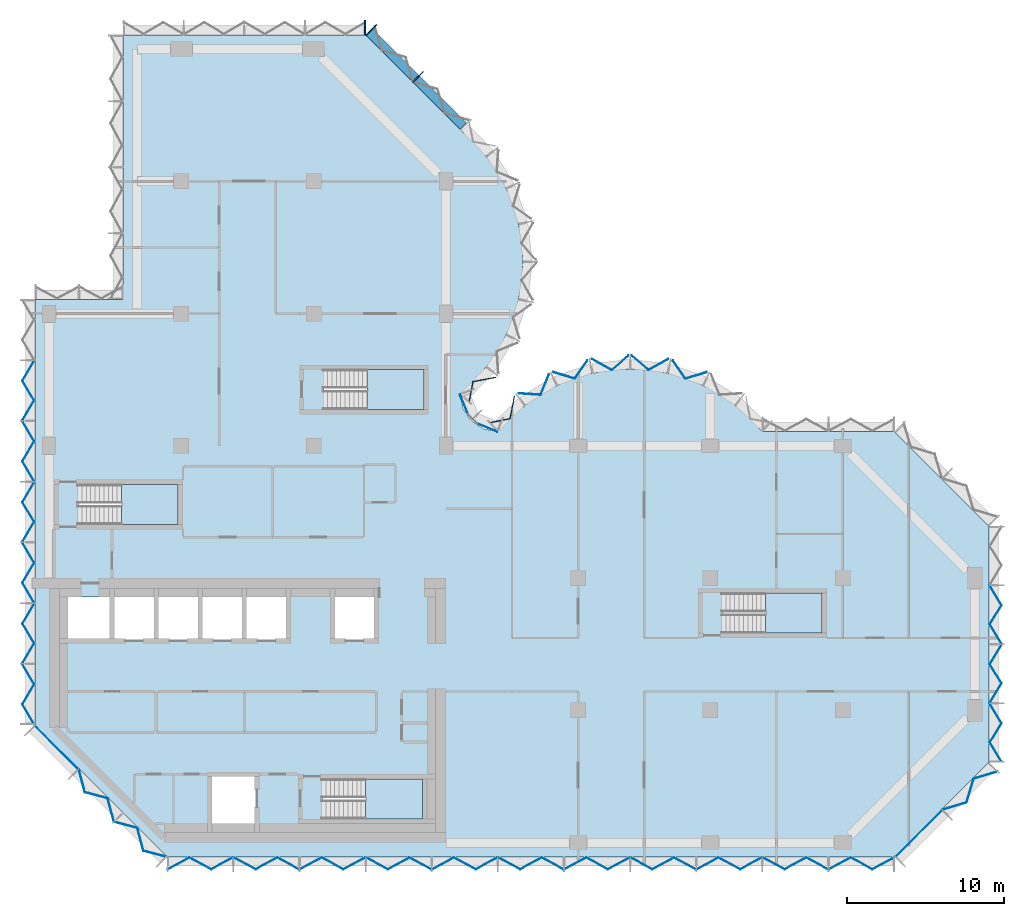
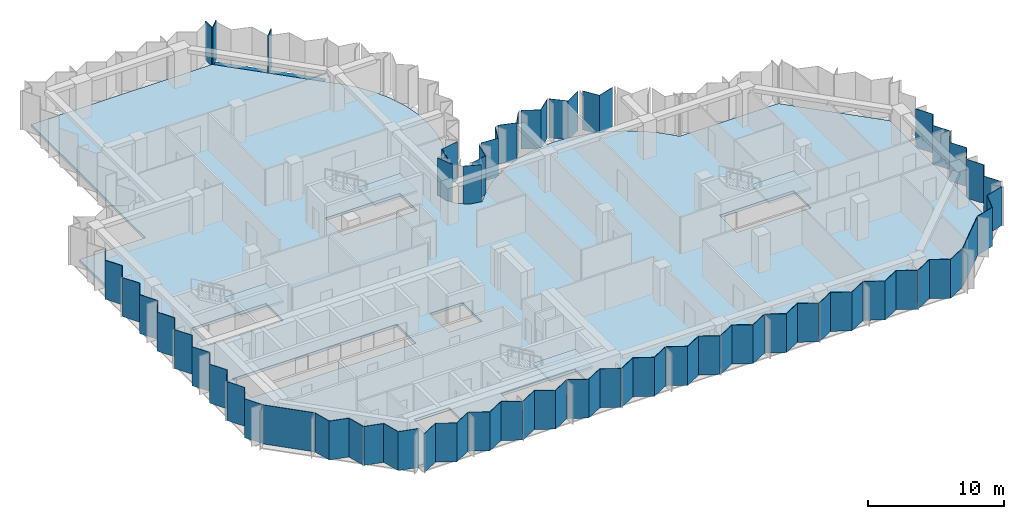
# One storey, part 3 of 10: 34 plates, 5 slabs, 4 members, 14 elements without a shape of their own.
"""IFC4 building model written with IfcOpenShell, lengths in metres."""

from ifc_helpers import new_model, si_unit, direction, frame, origin, origin_2d, place, context, subcontext, project, spatial, polyline, rectangle, outline, extrude, material, layer, layer_set, material_profile, profile_set, type_object, element, aggregate, save


model = new_model("IFC4")

# Units and contexts
model_context = context("Model", 3, precision=1e-05, world=origin(), true_north=direction((0.0, 1.0)))
body_context = subcontext(model_context, "Body", "Model", "MODEL_VIEW")
ifc_project = project(units=[si_unit("LENGTHUNIT", "METRE"), si_unit("AREAUNIT", "SQUARE_METRE"), si_unit("VOLUMEUNIT", "CUBIC_METRE"), si_unit("PLANEANGLEUNIT", "RADIAN"), si_unit("MASSUNIT", "GRAM", prefix="KILO")], contexts=[model_context])

# Site, building, storey
site_placement = place(None, origin())
site = spatial("IfcSite", under=ifc_project, at=site_placement, CompositionType="ELEMENT")
building_placement = place(site_placement, origin())
building = spatial("IfcBuilding", under=site, at=building_placement, Name="Brevane Broadcast Tower", CompositionType="ELEMENT")
storey_placement = place(building_placement, frame((0.0, 0.0, 177.60009765625)))
storey = spatial("IfcBuildingStorey", under=building, at=storey_placement, Name="L44", CompositionType="ELEMENT", Elevation=177.60009765625)

# Curtain wall, members
ifc_material_1 = material(Name="Aluminium 6063-T6 bronze anodised", Category="aluminium")
curtain_wall_type = type_object("IfcCurtainWallType", Name="CW-1 curtain wall", PredefinedType="NOTDEFINED", material=ifc_material_1)
curtain_wall_1_placement = place(storey_placement, origin())
curtain_wall_1 = element("IfcCurtainWall", 1, at=curtain_wall_1_placement, inside=storey, type_object=curtain_wall_type, Name="CW-1 typical tilted unit L44 north arm north-east chamfer", PredefinedType="NOTDEFINED")
ifc_material_profile_1 = material_profile(ifc_material_1, rectangle(XDim=0.949951171875, YDim=0.070068359375, at=origin_2d()), Name="RECT 70x950")
ifc_profile_set_1 = profile_set([ifc_material_profile_1], Name="Aluminium 6063-T6 bronze anodised")
member_type_1 = type_object("IfcMemberType", Name="CW-1 mullion 70x950", PredefinedType="MULLION", material=ifc_profile_set_1)
member_1_placement = place(storey_placement, frame((23.435791015625, 48.635986328125, -0.150146484375), z_axis=(0.0, 0.0, 1.0), x_axis=(-0.707106781187, -0.707106781187, 0.0)))
member_1 = element("IfcMember", 2, at=member_1_placement, type_object=member_type_1, Name="CW-1 mullion", PredefinedType="MULLION", context=body_context, shape_type="SweptSolid", body=[
    extrude(rectangle(XDim=0.949951171875, YDim=0.070068359375, at=origin_2d()), origin(), (0.0, 0.0, 1.0), 3.5),
])
member_2_placement = place(storey_placement, frame((20.460693359375, 51.611083984375, -0.150146484375), z_axis=(0.0, 0.0, 1.0), x_axis=(-0.707106781187, -0.707106781187, 0.0)))
member_2 = element("IfcMember", 3, at=member_2_placement, type_object=member_type_1, Name="CW-1 mullion", PredefinedType="MULLION", context=body_context, shape_type="SweptSolid", body=[
    extrude(rectangle(XDim=0.949951171875, YDim=0.070068359375, at=origin_2d()), origin(), (0.0, 0.0, 1.0), 3.5),
])

# Curtain wall, member
curtain_wall_2_placement = place(storey_placement, origin())
curtain_wall_2 = element("IfcCurtainWall", 4, at=curtain_wall_2_placement, inside=storey, type_object=curtain_wall_type, Name="CW-1 typical tilted unit L44 north end", PredefinedType="NOTDEFINED")
member_3_placement = place(storey_placement, frame((20.06494140625, 51.77490234375, -0.150146484375), z_axis=(0.0, 0.0, 1.0), x_axis=(0.0, -1.0, 0.0)))
member_3 = element("IfcMember", 5, at=member_3_placement, type_object=member_type_1, Name="CW-1 mullion", PredefinedType="MULLION", context=body_context, shape_type="SweptSolid", body=[
    extrude(rectangle(XDim=0.949951171875, YDim=0.070068359375, at=origin_2d()), origin(), (0.0, 0.0, 1.0), 3.5),
])
aggregate(curtain_wall_2, [member_3])

# Member
ifc_material_profile_2 = material_profile(ifc_material_1, rectangle(XDim=0.60009765625, YDim=0.10009765625, at=origin_2d()), Name="RECT 100x600")
ifc_profile_set_2 = profile_set([ifc_material_profile_2], Name="Aluminium 6063-T6 bronze anodised")
member_type_2 = type_object("IfcMemberType", Name="CW-1 transom 100x600", PredefinedType="USERDEFINED", material=ifc_profile_set_2)
member_4_placement = place(storey_placement, frame((26.31201171875, 45.51220703125, -0.2001953125), z_axis=(-0.707106781187, 0.707106781187, 0.0), x_axis=(-0.707106781187, -0.707106781187, 0.0)))
member_4 = element("IfcMember", 6, at=member_4_placement, type_object=member_type_2, Name="CW-1 transom", ObjectType="TRANSOM", PredefinedType="USERDEFINED", context=body_context, shape_type="SweptSolid", body=[
    extrude(rectangle(XDim=0.60009765625, YDim=0.10009765625, at=origin_2d()), origin(), (0.0, 0.0, 1.0), 8.4853515625),
])

aggregate(curtain_wall_1, [member_1, member_2, member_4])

# Curtain wall, plates
curtain_wall_3_placement = place(storey_placement, origin())
curtain_wall_3 = element("IfcCurtainWall", 7, at=curtain_wall_3_placement, inside=storey, type_object=curtain_wall_type, Name="CW-1 typical tilted unit L44 south face", PredefinedType="NOTDEFINED")
ifc_material_2 = material(Name="Laminated glass bronze-tinted", Category="glass")
ifc_layer_1 = layer(ifc_material_2, 0.0400390625)
ifc_layer_set_1 = layer_set([ifc_layer_1], Name="CW tall glass panel 40")
plate_type = type_object("IfcPlateType", Name="CW tall glass panel 40", PredefinedType="CURTAIN_PANEL", material=ifc_layer_set_1)
plate_1_placement = place(storey_placement, frame((0.0, 0.0, -0.150146484375)))
plate_1 = element("IfcPlate", 8, at=plate_1_placement, type_object=plate_type, Name="CW-1 glass panel", PredefinedType="CURTAIN_PANEL", context=body_context, shape_type="SweptSolid", body=[
    extrude(outline(polyline([(7.534912109375, -1.671630859375), (7.534912109375, -1.717041015625), (8.91162109375, -0.97265625), (10.288330078125, -1.717041015625), (11.6650390625, -0.97265625), (11.6650390625, -0.92724609375), (10.288330078125, -1.671630859375), (8.91162109375, -0.92724609375), (7.534912109375, -1.671630859375)])), origin(), (0.0, 0.0, 1.0), 3.5),
])
plate_2_placement = place(storey_placement, frame((0.0, 0.0, -0.150146484375)))
plate_2 = element("IfcPlate", 9, at=plate_2_placement, type_object=plate_type, Name="CW-1 glass panel", PredefinedType="CURTAIN_PANEL", context=body_context, shape_type="SweptSolid", body=[
    extrude(outline(polyline([(11.735107421875, -0.92724609375), (11.735107421875, -0.97265625), (13.11181640625, -1.717041015625), (14.48828125, -0.97265625), (15.864990234375, -1.717041015625), (15.864990234375, -1.671630859375), (14.48828125, -0.92724609375), (13.11181640625, -1.671630859375), (11.735107421875, -0.92724609375)])), origin(), (0.0, 0.0, 1.0), 3.5),
])
plate_3_placement = place(storey_placement, frame((0.0, 0.0, -0.150146484375)))
plate_3 = element("IfcPlate", 10, at=plate_3_placement, type_object=plate_type, Name="CW-1 glass panel", PredefinedType="CURTAIN_PANEL", context=body_context, shape_type="SweptSolid", body=[
    extrude(outline(polyline([(15.93505859375, -1.671630859375), (15.93505859375, -1.717041015625), (17.311767578125, -0.97265625), (18.688232421875, -1.717041015625), (20.06494140625, -0.97265625), (20.06494140625, -0.92724609375), (18.688232421875, -1.671630859375), (17.311767578125, -0.92724609375), (15.93505859375, -1.671630859375)])), origin(), (0.0, 0.0, 1.0), 3.5),
])
plate_4_placement = place(storey_placement, frame((0.0, 0.0, -0.150146484375)))
plate_4 = element("IfcPlate", 11, at=plate_4_placement, type_object=plate_type, Name="CW-1 glass panel", PredefinedType="CURTAIN_PANEL", context=body_context, shape_type="SweptSolid", body=[
    extrude(outline(polyline([(20.135009765625, -0.92724609375), (20.135009765625, -0.97265625), (21.51171875, -1.717041015625), (22.88818359375, -0.97265625), (24.264892578125, -1.717041015625), (24.264892578125, -1.671630859375), (22.88818359375, -0.92724609375), (21.51171875, -1.671630859375), (20.135009765625, -0.92724609375)])), origin(), (0.0, 0.0, 1.0), 3.5),
])
plate_5_placement = place(storey_placement, frame((0.0, 0.0, -0.150146484375)))
plate_5 = element("IfcPlate", 12, at=plate_5_placement, type_object=plate_type, Name="CW-1 glass panel", PredefinedType="CURTAIN_PANEL", context=body_context, shape_type="SweptSolid", body=[
    extrude(outline(polyline([(24.3349609375, -1.671630859375), (24.3349609375, -1.717041015625), (25.711669921875, -0.97265625), (27.08837890625, -1.717041015625), (28.465087890625, -0.97265625), (28.465087890625, -0.92724609375), (27.08837890625, -1.671630859375), (25.711669921875, -0.92724609375), (24.3349609375, -1.671630859375)])), origin(), (0.0, 0.0, 1.0), 3.5),
])
plate_6_placement = place(storey_placement, frame((0.0, 0.0, -0.150146484375)))
plate_6 = element("IfcPlate", 13, at=plate_6_placement, type_object=plate_type, Name="CW-1 glass panel", PredefinedType="CURTAIN_PANEL", context=body_context, shape_type="SweptSolid", body=[
    extrude(outline(polyline([(28.534912109375, -0.92724609375), (28.534912109375, -0.97265625), (29.91162109375, -1.717041015625), (31.288330078125, -0.97265625), (32.6650390625, -1.717041015625), (32.6650390625, -1.671630859375), (31.288330078125, -0.92724609375), (29.91162109375, -1.671630859375), (28.534912109375, -0.92724609375)])), origin(), (0.0, 0.0, 1.0), 3.5),
])
plate_7_placement = place(storey_placement, frame((0.0, 0.0, -0.150146484375)))
plate_7 = element("IfcPlate", 14, at=plate_7_placement, type_object=plate_type, Name="CW-1 glass panel", PredefinedType="CURTAIN_PANEL", context=body_context, shape_type="SweptSolid", body=[
    extrude(outline(polyline([(32.735107421875, -1.671630859375), (32.735107421875, -1.717041015625), (34.11181640625, -0.97265625), (35.48828125, -1.717041015625), (36.864990234375, -0.97265625), (36.864990234375, -0.92724609375), (35.48828125, -1.671630859375), (34.11181640625, -0.92724609375), (32.735107421875, -1.671630859375)])), origin(), (0.0, 0.0, 1.0), 3.5),
])
plate_8_placement = place(storey_placement, frame((0.0, 0.0, -0.150146484375)))
plate_8 = element("IfcPlate", 15, at=plate_8_placement, type_object=plate_type, Name="CW-1 glass panel", PredefinedType="CURTAIN_PANEL", context=body_context, shape_type="SweptSolid", body=[
    extrude(outline(polyline([(36.93505859375, -0.92724609375), (36.93505859375, -0.97265625), (38.311767578125, -1.717041015625), (39.688232421875, -0.97265625), (41.06494140625, -1.717041015625), (41.06494140625, -1.671630859375), (39.688232421875, -0.92724609375), (38.311767578125, -1.671630859375), (36.93505859375, -0.92724609375)])), origin(), (0.0, 0.0, 1.0), 3.5),
])
plate_9_placement = place(storey_placement, frame((0.0, 0.0, -0.150146484375)))
plate_9 = element("IfcPlate", 16, at=plate_9_placement, type_object=plate_type, Name="CW-1 glass panel", PredefinedType="CURTAIN_PANEL", context=body_context, shape_type="SweptSolid", body=[
    extrude(outline(polyline([(41.135009765625, -1.671630859375), (41.135009765625, -1.717041015625), (42.51171875, -0.97265625), (43.88818359375, -1.717041015625), (45.264892578125, -0.97265625), (45.264892578125, -0.92724609375), (43.88818359375, -1.671630859375), (42.51171875, -0.92724609375), (41.135009765625, -1.671630859375)])), origin(), (0.0, 0.0, 1.0), 3.5),
])
plate_10_placement = place(storey_placement, frame((0.0, 0.0, -0.150146484375)))
plate_10 = element("IfcPlate", 17, at=plate_10_placement, type_object=plate_type, Name="CW-1 glass panel", PredefinedType="CURTAIN_PANEL", context=body_context, shape_type="SweptSolid", body=[
    extrude(outline(polyline([(45.3349609375, -0.92724609375), (45.3349609375, -0.97265625), (46.711669921875, -1.717041015625), (48.08837890625, -0.97265625), (49.465087890625, -1.717041015625), (49.465087890625, -1.671630859375), (48.08837890625, -0.92724609375), (46.711669921875, -1.671630859375), (45.3349609375, -0.92724609375)])), origin(), (0.0, 0.0, 1.0), 3.5),
])
plate_11_placement = place(storey_placement, frame((0.0, 0.0, -0.150146484375)))
plate_11 = element("IfcPlate", 18, at=plate_11_placement, type_object=plate_type, Name="CW-1 glass panel", PredefinedType="CURTAIN_PANEL", context=body_context, shape_type="SweptSolid", body=[
    extrude(outline(polyline([(49.534912109375, -1.671630859375), (49.534912109375, -1.717041015625), (50.91162109375, -0.97265625), (52.288330078125, -1.717041015625), (53.6650390625, -0.97265625), (53.6650390625, -0.92724609375), (52.288330078125, -1.671630859375), (50.91162109375, -0.92724609375), (49.534912109375, -1.671630859375)])), origin(), (0.0, 0.0, 1.0), 3.5),
])
aggregate(curtain_wall_3, [plate_1, plate_2, plate_3, plate_4, plate_5, plate_6, plate_7, plate_8, plate_9, plate_10, plate_11])

curtain_wall_4_placement = place(storey_placement, origin())
curtain_wall_4 = element("IfcCurtainWall", 19, at=curtain_wall_4_placement, inside=storey, type_object=curtain_wall_type, Name="CW-1 typical tilted unit L44 south-east chamfer", PredefinedType="NOTDEFINED")
plate_12_placement = place(storey_placement, frame((0.0, 0.0, -0.150146484375)))
plate_12 = element("IfcPlate", 20, at=plate_12_placement, type_object=plate_type, Name="CW-1 glass panel", PredefinedType="CURTAIN_PANEL", context=body_context, shape_type="SweptSolid", body=[
    extrude(outline(polyline([(53.74609375, -0.896484375), (56.696533203125, 2.053955078125), (56.724609375, 2.02587890625), (53.774169921875, -0.9248046875), (53.74609375, -0.896484375)])), origin(), (0.0, 0.0, 1.0), 3.5),
])
plate_13_placement = place(storey_placement, frame((0.0, 0.0, -0.150146484375)))
plate_13 = element("IfcPlate", 21, at=plate_13_placement, type_object=plate_type, Name="CW-1 glass panel", PredefinedType="CURTAIN_PANEL", context=body_context, shape_type="SweptSolid", body=[
    extrude(outline(polyline([(56.744140625, 2.10546875), (56.776123046875, 2.073486328125), (58.285888671875, 2.530517578125), (58.7431640625, 4.040283203125), (60.2529296875, 4.49755859375), (60.220947265625, 4.529541015625), (58.711181640625, 4.072509765625), (58.25390625, 2.5625), (56.744140625, 2.10546875)])), origin(), (0.0, 0.0, 1.0), 3.5),
])
aggregate(curtain_wall_4, [plate_12, plate_13])

curtain_wall_5_placement = place(storey_placement, origin())
curtain_wall_5 = element("IfcCurtainWall", 22, at=curtain_wall_5_placement, inside=storey, type_object=curtain_wall_type, Name="CW-1 typical tilted unit L44 east end", PredefinedType="NOTDEFINED")
plate_14_placement = place(storey_placement, frame((0.0, 0.0, -0.150146484375)))
plate_14 = element("IfcPlate", 23, at=plate_14_placement, type_object=plate_type, Name="CW-1 glass panel", PredefinedType="CURTAIN_PANEL", context=body_context, shape_type="SweptSolid", body=[
    extrude(outline(polyline([(60.470947265625, 5.135009765625), (60.517822265625, 5.135009765625), (59.7734375, 6.36181640625), (60.517822265625, 7.58837890625), (59.7734375, 8.81494140625), (59.7265625, 8.81494140625), (60.470947265625, 7.58837890625), (59.7265625, 6.36181640625), (60.470947265625, 5.135009765625)])), origin(), (0.0, 0.0, 1.0), 3.5),
])
plate_15_placement = place(storey_placement, frame((0.0, 0.0, -0.150146484375)))
plate_15 = element("IfcPlate", 24, at=plate_15_placement, type_object=plate_type, Name="CW-1 glass panel", PredefinedType="CURTAIN_PANEL", context=body_context, shape_type="SweptSolid", body=[
    extrude(outline(polyline([(59.7265625, 8.885009765625), (59.7734375, 8.885009765625), (60.517822265625, 10.11181640625), (59.7734375, 11.33837890625), (60.517822265625, 12.56494140625), (60.470947265625, 12.56494140625), (59.7265625, 11.33837890625), (60.470947265625, 10.11181640625), (59.7265625, 8.885009765625)])), origin(), (0.0, 0.0, 1.0), 3.5),
])
plate_16_placement = place(storey_placement, frame((0.0, 0.0, -0.150146484375)))
plate_16 = element("IfcPlate", 25, at=plate_16_placement, type_object=plate_type, Name="CW-1 glass panel", PredefinedType="CURTAIN_PANEL", context=body_context, shape_type="SweptSolid", body=[
    extrude(outline(polyline([(60.470947265625, 12.635009765625), (60.517822265625, 12.635009765625), (59.7734375, 13.86181640625), (60.517822265625, 15.08837890625), (59.7734375, 16.31494140625), (59.7265625, 16.31494140625), (60.470947265625, 15.08837890625), (59.7265625, 13.86181640625), (60.470947265625, 12.635009765625)])), origin(), (0.0, 0.0, 1.0), 3.5),
])
aggregate(curtain_wall_5, [plate_14, plate_15, plate_16])

curtain_wall_6_placement = place(storey_placement, origin())
curtain_wall_6 = element("IfcCurtainWall", 26, at=curtain_wall_6_placement, inside=storey, type_object=curtain_wall_type, Name="CW-1 typical tilted unit L44 east bow", PredefinedType="NOTDEFINED")
plate_17_placement = place(storey_placement, frame((0.0, 0.0, -0.150146484375)))
plate_17 = element("IfcPlate", 27, at=plate_17_placement, type_object=plate_type, Name="CW-1 glass panel", PredefinedType="CURTAIN_PANEL", context=body_context, shape_type="SweptSolid", body=[
    extrude(outline(polyline([(41.75537109375, 29.851806640625), (41.778564453125, 29.900634765625), (40.435546875, 29.494384765625), (39.6328125, 30.622802734375), (39.62060546875, 30.57080078125), (40.41943359375, 29.44775390625), (41.75537109375, 29.851806640625)])), origin(), (0.0, 0.0, 1.0), 3.5),
])
plate_18_placement = place(storey_placement, frame((0.0, 0.0, -0.150146484375)))
plate_18 = element("IfcPlate", 28, at=plate_18_placement, type_object=plate_type, Name="CW-1 glass panel", PredefinedType="CURTAIN_PANEL", context=body_context, shape_type="SweptSolid", body=[
    extrude(outline(polyline([(39.31640625, 30.68798828125), (39.328369140625, 30.740478515625), (38.069580078125, 30.036376953125), (37.008056640625, 30.94921875), (37.008056640625, 30.896484375), (38.064697265625, 29.98779296875), (39.31640625, 30.68798828125)])), origin(), (0.0, 0.0, 1.0), 3.5),
])
plate_19_placement = place(storey_placement, frame((0.0, 0.0, -0.150146484375)))
plate_19 = element("IfcPlate", 29, at=plate_19_placement, type_object=plate_type, Name="CW-1 glass panel", PredefinedType="CURTAIN_PANEL", context=body_context, shape_type="SweptSolid", body=[
    extrude(outline(polyline([(36.7919921875, 30.896484375), (36.7919921875, 30.94921875), (35.730224609375, 30.036376953125), (34.4716796875, 30.740478515625), (34.483642578125, 30.68798828125), (35.735107421875, 29.98779296875), (36.7919921875, 30.896484375)])), origin(), (0.0, 0.0, 1.0), 3.5),
])
plate_20_placement = place(storey_placement, frame((0.0, 0.0, -0.150146484375)))
plate_20 = element("IfcPlate", 30, at=plate_20_placement, type_object=plate_type, Name="CW-1 glass panel", PredefinedType="CURTAIN_PANEL", context=body_context, shape_type="SweptSolid", body=[
    extrude(outline(polyline([(34.17919921875, 30.57080078125), (34.167236328125, 30.622802734375), (33.364501953125, 29.494384765625), (32.021484375, 29.900634765625), (32.044677734375, 29.851806640625), (33.380615234375, 29.44775390625), (34.17919921875, 30.57080078125)])), origin(), (0.0, 0.0, 1.0), 3.5),
])
plate_21_placement = place(storey_placement, frame((0.0, 0.0, -0.150146484375)))
plate_21 = element("IfcPlate", 31, at=plate_21_placement, type_object=plate_type, Name="CW-1 glass panel", PredefinedType="CURTAIN_PANEL", context=body_context, shape_type="SweptSolid", body=[
    extrude(outline(polyline([(31.753173828125, 29.712890625), (31.729736328125, 29.76171875), (31.198486328125, 28.462890625), (29.816650390625, 28.551025390625), (29.849609375, 28.5087890625), (31.224609375, 28.42138671875), (31.753173828125, 29.712890625)])), origin(), (0.0, 0.0, 1.0), 3.5),
])
plate_22_placement = place(storey_placement, frame((0.0, 0.0, -0.150146484375)))
plate_22 = element("IfcPlate", 32, at=plate_22_placement, type_object=plate_type, Name="CW-1 glass panel", PredefinedType="CURTAIN_PANEL", context=body_context, shape_type="SweptSolid", body=[
    extrude(outline(polyline([(29.568603515625, 28.34375), (29.535888671875, 28.3857421875), (29.2607421875, 26.9423828125), (27.975341796875, 26.690185546875), (28.008544921875, 26.656005859375), (29.294921875, 26.908203125), (29.568603515625, 28.34375)])), origin(), (0.0, 0.0, 1.0), 3.5),
])
aggregate(curtain_wall_6, [plate_17, plate_18, plate_19, plate_20, plate_21, plate_22])

curtain_wall_7_placement = place(storey_placement, origin())
curtain_wall_7 = element("IfcCurtainWall", 33, at=curtain_wall_7_placement, inside=storey, type_object=curtain_wall_type, Name="CW-1 typical tilted unit L44 inner corner", PredefinedType="NOTDEFINED")
plate_23_placement = place(storey_placement, frame((0.0, 0.0, -0.150146484375)))
plate_23 = element("IfcPlate", 34, at=plate_23_placement, type_object=plate_type, Name="CW-1 glass panel", PredefinedType="CURTAIN_PANEL", context=body_context, shape_type="SweptSolid", body=[
    extrude(outline(polyline([(28.45166015625, 26.07470703125), (28.466796875, 26.111572265625), (27.2021484375, 26.635498046875), (27.17138671875, 26.60498046875), (28.45166015625, 26.07470703125)])), origin(), (0.0, 0.0, 1.0), 3.5),
])
plate_24_placement = place(storey_placement, frame((0.0, 0.0, -0.150146484375)))
plate_24 = element("IfcPlate", 35, at=plate_24_placement, type_object=plate_type, Name="CW-1 glass panel", PredefinedType="CURTAIN_PANEL", context=body_context, shape_type="SweptSolid", body=[
    extrude(outline(polyline([(26.60498046875, 27.17138671875), (26.635498046875, 27.2021484375), (26.111572265625, 28.466796875), (26.07470703125, 28.45166015625), (26.60498046875, 27.17138671875)])), origin(), (0.0, 0.0, 1.0), 3.5),
])
aggregate(curtain_wall_7, [plate_23, plate_24])

# Curtain wall, plate
curtain_wall_8_placement = place(storey_placement, origin())
curtain_wall_8 = element("IfcCurtainWall", 36, at=curtain_wall_8_placement, inside=storey, type_object=curtain_wall_type, Name="CW-1 typical tilted unit L44 north bow", PredefinedType="NOTDEFINED")
plate_25_placement = place(storey_placement, frame((0.0, 0.0, -0.150146484375)))
plate_25 = element("IfcPlate", 37, at=plate_25_placement, type_object=plate_type, Name="CW-1 glass panel", PredefinedType="CURTAIN_PANEL", context=body_context, shape_type="SweptSolid", body=[
    extrude(outline(polyline([(26.656005859375, 28.008544921875), (26.690185546875, 27.975341796875), (26.9423828125, 29.2607421875), (28.3857421875, 29.535888671875), (28.34375, 29.568603515625), (26.908203125, 29.294921875), (26.656005859375, 28.008544921875)])), origin(), (0.0, 0.0, 1.0), 3.5),
])
aggregate(curtain_wall_8, [plate_25])

# Curtain wall, plates
curtain_wall_9_placement = place(storey_placement, origin())
curtain_wall_9 = element("IfcCurtainWall", 38, at=curtain_wall_9_placement, inside=storey, type_object=curtain_wall_type, Name="CW-1 typical tilted unit L44 west face", PredefinedType="NOTDEFINED")
plate_26_placement = place(storey_placement, frame((0.0, 0.0, -0.150146484375)))
plate_26 = element("IfcPlate", 39, at=plate_26_placement, type_object=plate_type, Name="CW-1 glass panel", PredefinedType="CURTAIN_PANEL", context=body_context, shape_type="SweptSolid", body=[
    extrude(outline(polyline([(-0.9267578125, 30.60791015625), (-0.97314453125, 30.60791015625), (-1.717529296875, 29.345458984375), (-0.97314453125, 28.0830078125), (-1.717529296875, 26.82080078125), (-1.671142578125, 26.82080078125), (-0.9267578125, 28.0830078125), (-1.671142578125, 29.345458984375), (-0.9267578125, 30.60791015625)])), origin(), (0.0, 0.0, 1.0), 3.5),
])
plate_27_placement = place(storey_placement, frame((0.0, 0.0, -0.150146484375)))
plate_27 = element("IfcPlate", 40, at=plate_27_placement, type_object=plate_type, Name="CW-1 glass panel", PredefinedType="CURTAIN_PANEL", context=body_context, shape_type="SweptSolid", body=[
    extrude(outline(polyline([(-1.671142578125, 26.750732421875), (-1.717529296875, 26.750732421875), (-0.97314453125, 25.48828125), (-1.717529296875, 24.22607421875), (-0.97314453125, 22.963623046875), (-0.9267578125, 22.963623046875), (-1.671142578125, 24.22607421875), (-0.9267578125, 25.48828125), (-1.671142578125, 26.750732421875)])), origin(), (0.0, 0.0, 1.0), 3.5),
])
plate_28_placement = place(storey_placement, frame((0.0, 0.0, -0.150146484375)))
plate_28 = element("IfcPlate", 41, at=plate_28_placement, type_object=plate_type, Name="CW-1 glass panel", PredefinedType="CURTAIN_PANEL", context=body_context, shape_type="SweptSolid", body=[
    extrude(outline(polyline([(-0.9267578125, 22.8935546875), (-0.97314453125, 22.8935546875), (-1.717529296875, 21.631103515625), (-0.97314453125, 20.368896484375), (-1.717529296875, 19.1064453125), (-1.671142578125, 19.1064453125), (-0.9267578125, 20.368896484375), (-1.671142578125, 21.631103515625), (-0.9267578125, 22.8935546875)])), origin(), (0.0, 0.0, 1.0), 3.5),
])
plate_29_placement = place(storey_placement, frame((0.0, 0.0, -0.150146484375)))
plate_29 = element("IfcPlate", 42, at=plate_29_placement, type_object=plate_type, Name="CW-1 glass panel", PredefinedType="CURTAIN_PANEL", context=body_context, shape_type="SweptSolid", body=[
    extrude(outline(polyline([(-1.671142578125, 19.036376953125), (-1.717529296875, 19.036376953125), (-0.97314453125, 17.77392578125), (-1.717529296875, 16.51171875), (-0.97314453125, 15.249267578125), (-0.9267578125, 15.249267578125), (-1.671142578125, 16.51171875), (-0.9267578125, 17.77392578125), (-1.671142578125, 19.036376953125)])), origin(), (0.0, 0.0, 1.0), 3.5),
])
plate_30_placement = place(storey_placement, frame((0.0, 0.0, -0.150146484375)))
plate_30 = element("IfcPlate", 43, at=plate_30_placement, type_object=plate_type, Name="CW-1 glass panel", PredefinedType="CURTAIN_PANEL", context=body_context, shape_type="SweptSolid", body=[
    extrude(outline(polyline([(-0.9267578125, 15.17919921875), (-0.97314453125, 15.17919921875), (-1.717529296875, 13.9169921875), (-0.97314453125, 12.654541015625), (-1.717529296875, 11.39208984375), (-1.671142578125, 11.39208984375), (-0.9267578125, 12.654541015625), (-1.671142578125, 13.9169921875), (-0.9267578125, 15.17919921875)])), origin(), (0.0, 0.0, 1.0), 3.5),
])
plate_31_placement = place(storey_placement, frame((0.0, 0.0, -0.150146484375)))
plate_31 = element("IfcPlate", 44, at=plate_31_placement, type_object=plate_type, Name="CW-1 glass panel", PredefinedType="CURTAIN_PANEL", context=body_context, shape_type="SweptSolid", body=[
    extrude(outline(polyline([(-1.671142578125, 11.322021484375), (-1.717529296875, 11.322021484375), (-0.97314453125, 10.059814453125), (-1.717529296875, 8.79736328125), (-0.97314453125, 7.534912109375), (-0.9267578125, 7.534912109375), (-1.671142578125, 8.79736328125), (-0.9267578125, 10.059814453125), (-1.671142578125, 11.322021484375)])), origin(), (0.0, 0.0, 1.0), 3.5),
])
aggregate(curtain_wall_9, [plate_26, plate_27, plate_28, plate_29, plate_30, plate_31])

curtain_wall_10_placement = place(storey_placement, origin())
curtain_wall_10 = element("IfcCurtainWall", 45, at=curtain_wall_10_placement, inside=storey, type_object=curtain_wall_type, Name="CW-1 typical tilted unit L44 south-west chamfer", PredefinedType="NOTDEFINED")
plate_32_placement = place(storey_placement, frame((0.0, 0.0, -0.150146484375)))
plate_32 = element("IfcPlate", 46, at=plate_32_placement, type_object=plate_type, Name="CW-1 glass panel", PredefinedType="CURTAIN_PANEL", context=body_context, shape_type="SweptSolid", body=[
    extrude(outline(polyline([(-0.896484375, 7.4541015625), (1.85400390625, 4.70361328125), (1.82568359375, 4.67529296875), (-0.9248046875, 7.42578125), (-0.896484375, 7.4541015625)])), origin(), (0.0, 0.0, 1.0), 3.5),
])
plate_33_placement = place(storey_placement, frame((0.0, 0.0, -0.150146484375)))
plate_33 = element("IfcPlate", 47, at=plate_33_placement, type_object=plate_type, Name="CW-1 glass panel", PredefinedType="CURTAIN_PANEL", context=body_context, shape_type="SweptSolid", body=[
    extrude(outline(polyline([(1.90576171875, 4.65625), (1.873046875, 4.62353515625), (2.263671875, 3.180419921875), (3.706787109375, 2.789794921875), (4.09716796875, 1.3466796875), (4.1298828125, 1.37939453125), (3.739501953125, 2.822509765625), (2.296142578125, 3.212890625), (1.90576171875, 4.65625)])), origin(), (0.0, 0.0, 1.0), 3.5),
])
plate_34_placement = place(storey_placement, frame((0.0, 0.0, -0.150146484375)))
plate_34 = element("IfcPlate", 48, at=plate_34_placement, type_object=plate_type, Name="CW-1 glass panel", PredefinedType="CURTAIN_PANEL", context=body_context, shape_type="SweptSolid", body=[
    extrude(outline(polyline([(4.17919921875, 1.329833984375), (4.146728515625, 1.297119140625), (5.58984375, 0.90673828125), (5.98046875, -0.536376953125), (7.423583984375, -0.927001953125), (7.456298828125, -0.894287109375), (6.012939453125, -0.50390625), (5.62255859375, 0.939453125), (4.17919921875, 1.329833984375)])), origin(), (0.0, 0.0, 1.0), 3.5),
])
aggregate(curtain_wall_10, [plate_32, plate_33, plate_34])

# Stair, slab
ifc_material_3 = material(Name="Concrete C50/60", Category="concrete")
stair_type = type_object("IfcStairType", Name="Exit stair 22 risers", PredefinedType="HALF_TURN_STAIR", material=ifc_material_3)
stair_1_placement = place(storey_placement, origin())
stair_1 = element("IfcStair", 49, at=stair_1_placement, inside=storey, type_object=stair_type, Name="L44 Exit stair ST-1", PredefinedType="HALF_TURN_STAIR")
ifc_layer_2 = layer(ifc_material_3, 0.199951171875)
ifc_layer_set_2 = layer_set([ifc_layer_2], Name="Exit stair landing")
slab_type_1 = type_object("IfcSlabType", Name="Exit stair landing", PredefinedType="LANDING", material=ifc_layer_set_2)
slab_1_placement = place(storey_placement, frame((0.0, 0.0, 1.599853515625)))
slab_1 = element("IfcSlab", 50, at=slab_1_placement, type_object=slab_type_1, Name="ST-1 landing 1", PredefinedType="LANDING", context=body_context, shape_type="SweptSolid", body=[
    extrude(outline(polyline([(4.60009765625, 20.199951171875), (8.199951171875, 20.199951171875), (8.199951171875, 22.75), (4.60009765625, 22.75), (4.60009765625, 20.199951171875)])), origin(), (0.0, 0.0, 1.0), 0.199951171875),
])
aggregate(stair_1, [slab_1])

stair_2_placement = place(storey_placement, origin())
stair_2 = element("IfcStair", 51, at=stair_2_placement, inside=storey, type_object=stair_type, Name="L44 Exit stair ST-2", PredefinedType="HALF_TURN_STAIR")
slab_2_placement = place(storey_placement, frame((0.0, 0.0, 1.599853515625)))
slab_2 = element("IfcSlab", 52, at=slab_2_placement, type_object=slab_type_1, Name="ST-2 landing 1", PredefinedType="LANDING", context=body_context, shape_type="SweptSolid", body=[
    extrude(outline(polyline([(20.10009765625, 1.5), (23.699951171875, 1.5), (23.699951171875, 4.050048828125), (20.10009765625, 4.050048828125), (20.10009765625, 1.5)])), origin(), (0.0, 0.0, 1.0), 0.199951171875),
])
aggregate(stair_2, [slab_2])

stair_3_placement = place(storey_placement, origin())
stair_3 = element("IfcStair", 53, at=stair_3_placement, inside=storey, type_object=stair_type, Name="L44 Exit stair ST-3", PredefinedType="HALF_TURN_STAIR")
slab_3_placement = place(storey_placement, frame((0.0, 0.0, 1.599853515625)))
slab_3 = element("IfcSlab", 54, at=slab_3_placement, type_object=slab_type_1, Name="ST-3 landing 1", PredefinedType="LANDING", context=body_context, shape_type="SweptSolid", body=[
    extrude(outline(polyline([(20.199951171875, 27.5), (23.800048828125, 27.5), (23.800048828125, 30.050048828125), (20.199951171875, 30.050048828125), (20.199951171875, 27.5)])), origin(), (0.0, 0.0, 1.0), 0.199951171875),
])
aggregate(stair_3, [slab_3])

stair_4_placement = place(storey_placement, origin())
stair_4 = element("IfcStair", 55, at=stair_4_placement, inside=storey, type_object=stair_type, Name="L44 Exit stair ST-4", PredefinedType="HALF_TURN_STAIR")
slab_4_placement = place(storey_placement, frame((0.0, 0.0, 1.599853515625)))
slab_4 = element("IfcSlab", 56, at=slab_4_placement, type_object=slab_type_1, Name="ST-4 landing 1", PredefinedType="LANDING", context=body_context, shape_type="SweptSolid", body=[
    extrude(outline(polyline([(45.5, 13.300048828125), (49.10009765625, 13.300048828125), (49.10009765625, 15.85009765625), (45.5, 15.85009765625), (45.5, 13.300048828125)])), origin(), (0.0, 0.0, 1.0), 0.199951171875),
])
aggregate(stair_4, [slab_4])

# Slab
ifc_material_4 = material(Name="Concrete C40/50", Category="concrete")
ifc_layer_3 = layer(ifc_material_4, 0.25)
ifc_layer_set_3 = layer_set([ifc_layer_3], Name="RC FLOOR SLAB 250 C40/50")
slab_type_2 = type_object("IfcSlabType", Name="RC FLOOR SLAB 250 C40/50", PredefinedType="FLOOR", material=ifc_layer_set_3)
slab_5_placement = place(storey_placement, frame((0.0, 0.0, -0.25)))
element("IfcSlab", 57, at=slab_5_placement, inside=storey, type_object=slab_type_2, Name="SL250 L44", PredefinedType="FLOOR", context=body_context, shape_type="SweptSolid", body=[
    extrude(outline(polyline([(-0.89990234375, 7.5), (-0.89990234375, 34.5), (4.699951171875, 34.5), (4.699951171875, 51.300048828125), (20.10009765625, 51.300048828125), (26.10009765625, 45.300048828125), (27.10888671875, 44.36865234375), (27.99169921875, 43.317138671875), (28.734130859375, 42.162353515625), (29.324462890625, 40.922607421875), (29.7529296875, 39.618408203125), (30.012939453125, 38.270263671875), (30.10009765625, 36.89990234375), (30.012939453125, 35.52978515625), (29.7529296875, 34.181640625), (29.324462890625, 32.877197265625), (28.734130859375, 31.6376953125), (27.99169921875, 30.48291015625), (27.10888671875, 29.431396484375), (26.10009765625, 28.5), (26.28271484375, 27.58154296875), (26.802978515625, 26.802978515625), (27.58154296875, 26.28271484375), (28.5, 26.10009765625), (29.431396484375, 27.10888671875), (30.48291015625, 27.99169921875), (31.6376953125, 28.734130859375), (32.877197265625, 29.324462890625), (34.181640625, 29.7529296875), (35.52978515625, 30.012939453125), (36.89990234375, 30.10009765625), (38.270263671875, 30.012939453125), (39.618408203125, 29.7529296875), (40.922607421875, 29.324462890625), (42.162353515625, 28.734130859375), (43.317138671875, 27.99169921875), (44.36865234375, 27.10888671875), (45.300048828125, 26.10009765625), (53.699951171875, 26.10009765625), (59.699951171875, 20.10009765625), (59.699951171875, 5.10009765625), (53.699951171875, -0.89990234375), (7.5, -0.89990234375), (-0.89990234375, 7.5)]), holes=[polyline([(13.199951171875, 4.39990234375), (10.199951171875, 4.39990234375), (10.199951171875, 1.199951171875), (13.199951171875, 1.199951171875), (13.199951171875, 4.39990234375)]), polyline([(4.0, 15.60009765625), (1.199951171875, 15.60009765625), (1.199951171875, 12.800048828125), (4.0, 12.800048828125), (6.800048828125, 12.800048828125), (9.60009765625, 12.800048828125), (12.39990234375, 12.800048828125), (15.199951171875, 12.800048828125), (15.199951171875, 15.60009765625), (12.39990234375, 15.60009765625), (9.60009765625, 15.60009765625), (6.800048828125, 15.60009765625), (4.0, 15.60009765625)]), polyline([(1.860107421875, 22.75), (1.860107421875, 20.199951171875), (8.199951171875, 20.199951171875), (8.199951171875, 22.75), (1.860107421875, 22.75)]), polyline([(23.699951171875, 4.050048828125), (17.360107421875, 4.050048828125), (17.360107421875, 1.5), (23.699951171875, 1.5), (23.699951171875, 4.050048828125)]), polyline([(20.800048828125, 15.60009765625), (18.0, 15.60009765625), (18.0, 12.800048828125), (20.800048828125, 12.800048828125), (20.800048828125, 15.60009765625)]), polyline([(49.10009765625, 15.85009765625), (42.760009765625, 15.85009765625), (42.760009765625, 13.300048828125), (49.10009765625, 13.300048828125), (49.10009765625, 15.85009765625)]), polyline([(23.800048828125, 30.050048828125), (17.4599609375, 30.050048828125), (17.4599609375, 27.5), (23.800048828125, 27.5), (23.800048828125, 30.050048828125)])]), origin(), (0.0, 0.0, 1.0), 0.25),
])

save(model, "model.ifc")
